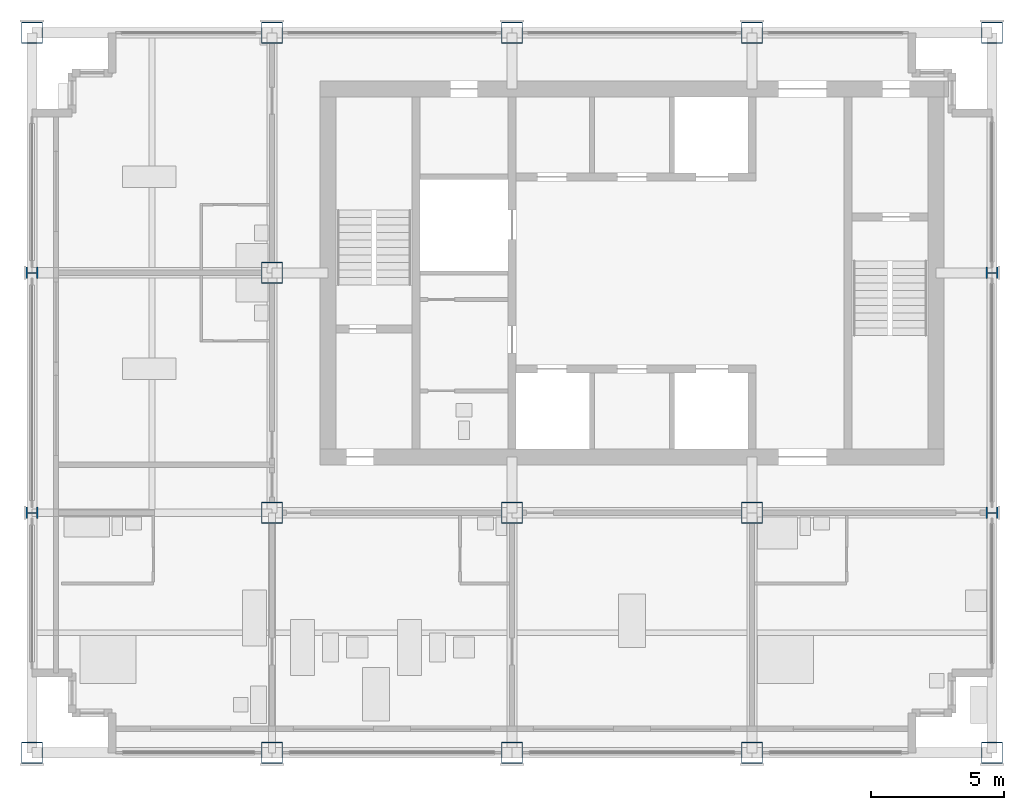
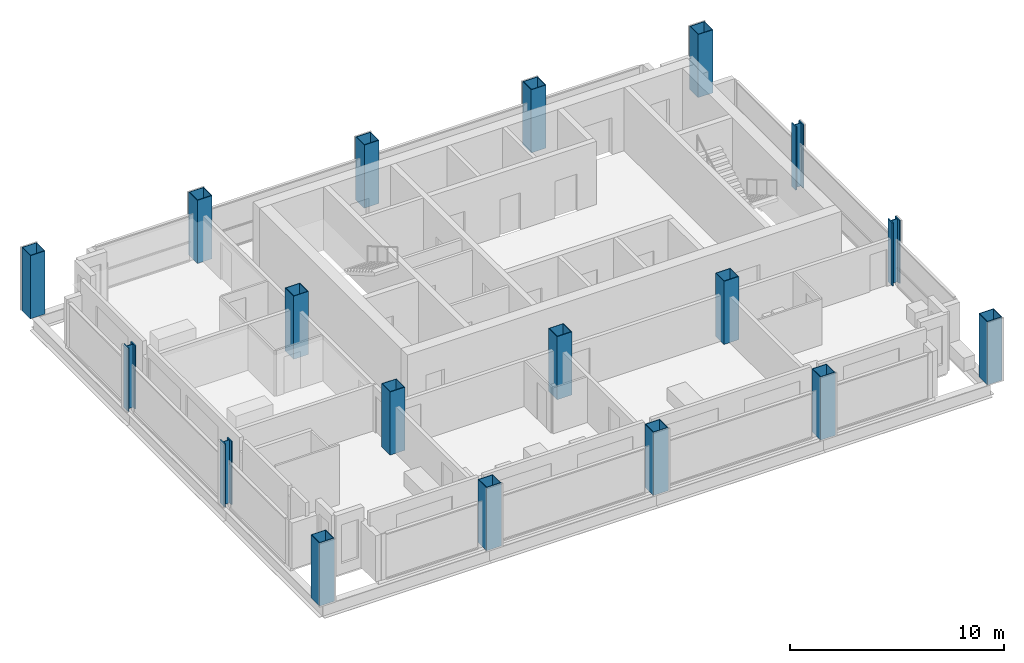
# One storey, part 1 of 11: 18 columns.
"""IFC4 building model written with IfcOpenShell, lengths in metres."""

from ifc_helpers import new_model, si_unit, direction, frame, origin, origin_2d, place, context, subcontext, project, spatial, hollow_rectangle, i_section, extrude, material, material_profile, profile_set, type_object, element, save


model = new_model("IFC4")

# Units and contexts
model_context = context("Model", 3, precision=1e-05, world=origin(), true_north=direction((0.0, 1.0)))
body_context = subcontext(model_context, "Body", "Model", "MODEL_VIEW")
ifc_project = project(units=[si_unit("LENGTHUNIT", "METRE"), si_unit("AREAUNIT", "SQUARE_METRE"), si_unit("VOLUMEUNIT", "CUBIC_METRE"), si_unit("PLANEANGLEUNIT", "RADIAN"), si_unit("MASSUNIT", "GRAM", prefix="KILO")], contexts=[model_context])

# Site, building, storey
site_placement = place(None, origin())
site = spatial("IfcSite", under=ifc_project, at=site_placement, CompositionType="ELEMENT")
building_placement = place(site_placement, origin())
building = spatial("IfcBuilding", under=site, at=building_placement, Name="Loomwork Tower", CompositionType="ELEMENT")
storey_placement = place(building_placement, frame((0.0, 0.0, 262.60009765625)))
storey = spatial("IfcBuildingStorey", under=building, at=storey_placement, Name="L72", CompositionType="ELEMENT", Elevation=262.60009765625)

# Columns
ifc_material_1 = material(Name="Steel ASTM A572 Grade 50 plate", Category="steel")
ifc_material_profile_1 = material_profile(ifc_material_1, hollow_rectangle(XDim=0.800048828125, YDim=0.800048828125, WallThickness=0.031982421875, at=origin_2d()), Name="BOX800x32")
ifc_profile_set_1 = profile_set([ifc_material_profile_1], Name="Steel ASTM A572 Grade 50 plate")
column_type_1 = type_object("IfcColumnType", Name="EXOSKELETON PIER BOX800x32", PredefinedType="COLUMN", material=ifc_profile_set_1)
for number, where, z_axis, x_axis, name in (
    (1, (0.0, 0.0, 0.0), (0.0, 0.0, 1.0), (1.0, 0.0, 0.0), "Exoskeleton Pier D/2 L72"),
    (2, (0.0, 27.0, 0.0), (0.0, 0.0, 1.0), (0.0, 1.0, 0.0), "Exoskeleton Pier G/2 L72"),
    (3, (9.0, 0.0, 0.0), (0.0, 0.0, 1.0), (1.0, 0.0, 0.0), "Exoskeleton Pier D/3 L72"),
    (4, (9.0, 27.0, 0.0), (0.0, 0.0, 1.0), (1.0, 0.0, 0.0), "Exoskeleton Pier G/3 L72"),
    (5, (18.0, 0.0, 0.0), (0.0, 0.0, 1.0), (1.0, 0.0, 0.0), "Exoskeleton Pier D/4 L72"),
    (6, (18.0, 27.0, 0.0), (0.0, 0.0, 1.0), (1.0, 0.0, 0.0), "Exoskeleton Pier G/4 L72"),
    (7, (27.0, 0.0, 0.0), (0.0, 0.0, 1.0), (1.0, 0.0, 0.0), "Exoskeleton Pier D/5 L72"),
    (8, (27.0, 27.0, 0.0), (0.0, 0.0, 1.0), (1.0, 0.0, 0.0), "Exoskeleton Pier G/5 L72"),
    (9, (36.0, 0.0, 0.0), (0.0, 0.0, 1.0), (1.0, 0.0, 0.0), "Exoskeleton Pier D/6 L72"),
    (10, (36.0, 27.0, 0.0), (0.0, 0.0, 1.0), (1.0, 0.0, 0.0), "Exoskeleton Pier G/6 L72"),
):
    element("IfcColumn", number, at=place(storey_placement, frame(where, z_axis=z_axis, x_axis=x_axis)), inside=storey, type_object=column_type_1, Name=name, PredefinedType="COLUMN", context=body_context, shape_type="SweptSolid", body=[
        extrude(hollow_rectangle(XDim=0.800048828125, YDim=0.800048828125, WallThickness=0.031982421875, at=origin_2d()), origin(), (0.0, 0.0, 1.0), 3.599853515625),
    ])
ifc_material_2 = material(Name="Steel ASTM A992", Category="steel")
ifc_material_profile_2 = material_profile(ifc_material_2, i_section(OverallWidth=0.41650390625, OverallDepth=0.444580078125, WebThickness=0.0390625, FlangeThickness=0.062744140625, at=origin_2d()), Name="W14x342")
ifc_profile_set_2 = profile_set([ifc_material_profile_2], Name="Steel ASTM A992")
column_type_2 = type_object("IfcColumnType", Name="EXOSKELETON PIER W14x342", PredefinedType="COLUMN", material=ifc_profile_set_2)
for number, where, z_axis, x_axis, name in (
    (11, (0.0, 9.0, 0.0), (0.0, 0.0, 1.0), (0.0, 1.0, 0.0), "Exoskeleton Pier E/2 L72"),
    (12, (0.0, 18.0, 0.0), (0.0, 0.0, 1.0), (0.0, 1.0, 0.0), "Exoskeleton Pier F/2 L72"),
    (13, (36.0, 9.0, 0.0), (0.0, 0.0, 1.0), (0.0, 1.0, 0.0), "Exoskeleton Pier E/6 L72"),
    (14, (36.0, 18.0, 0.0), (0.0, 0.0, 1.0), (0.0, 1.0, 0.0), "Exoskeleton Pier F/6 L72"),
):
    element("IfcColumn", number, at=place(storey_placement, frame(where, z_axis=z_axis, x_axis=x_axis)), inside=storey, type_object=column_type_2, Name=name, PredefinedType="COLUMN", context=body_context, shape_type="SweptSolid", body=[
        extrude(i_section(OverallWidth=0.41650390625, OverallDepth=0.444580078125, WebThickness=0.0390625, FlangeThickness=0.062744140625, at=origin_2d()), origin(), (0.0, 0.0, 1.0), 3.599853515625),
    ])
ifc_material_3 = material(Name="Steel ASTM A572 Grade 50 plate", Category="steel")
ifc_material_profile_3 = material_profile(ifc_material_3, hollow_rectangle(XDim=0.800048828125, YDim=0.800048828125, WallThickness=0.031982421875, at=origin_2d()), Name="BOX800x32")
ifc_profile_set_3 = profile_set([ifc_material_profile_3], Name="Steel ASTM A572 Grade 50 plate")
column_type_3 = type_object("IfcColumnType", Name="TOWER COLUMN BOX800x32", PredefinedType="COLUMN", material=ifc_profile_set_3)
for number, where, z_axis, x_axis, name in (
    (15, (9.0, 9.0, 0.0), (0.0, 0.0, 1.0), (1.0, 0.0, 0.0), "Tower Column E/3 L72"),
    (16, (9.0, 18.0, 0.0), (0.0, 0.0, 1.0), (1.0, 0.0, 0.0), "Tower Column F/3 L72"),
    (17, (18.0, 9.0, 0.0), (0.0, 0.0, 1.0), (1.0, 0.0, 0.0), "Tower Column E/4 L72"),
    (18, (27.0, 9.0, 0.0), (0.0, 0.0, 1.0), (1.0, 0.0, 0.0), "Tower Column E/5 L72"),
):
    element("IfcColumn", number, at=place(storey_placement, frame(where, z_axis=z_axis, x_axis=x_axis)), inside=storey, type_object=column_type_3, Name=name, PredefinedType="COLUMN", context=body_context, shape_type="SweptSolid", body=[
        extrude(hollow_rectangle(XDim=0.800048828125, YDim=0.800048828125, WallThickness=0.031982421875, at=origin_2d()), origin(), (0.0, 0.0, 1.0), 3.599853515625),
    ])

save(model, "model.ifc")
